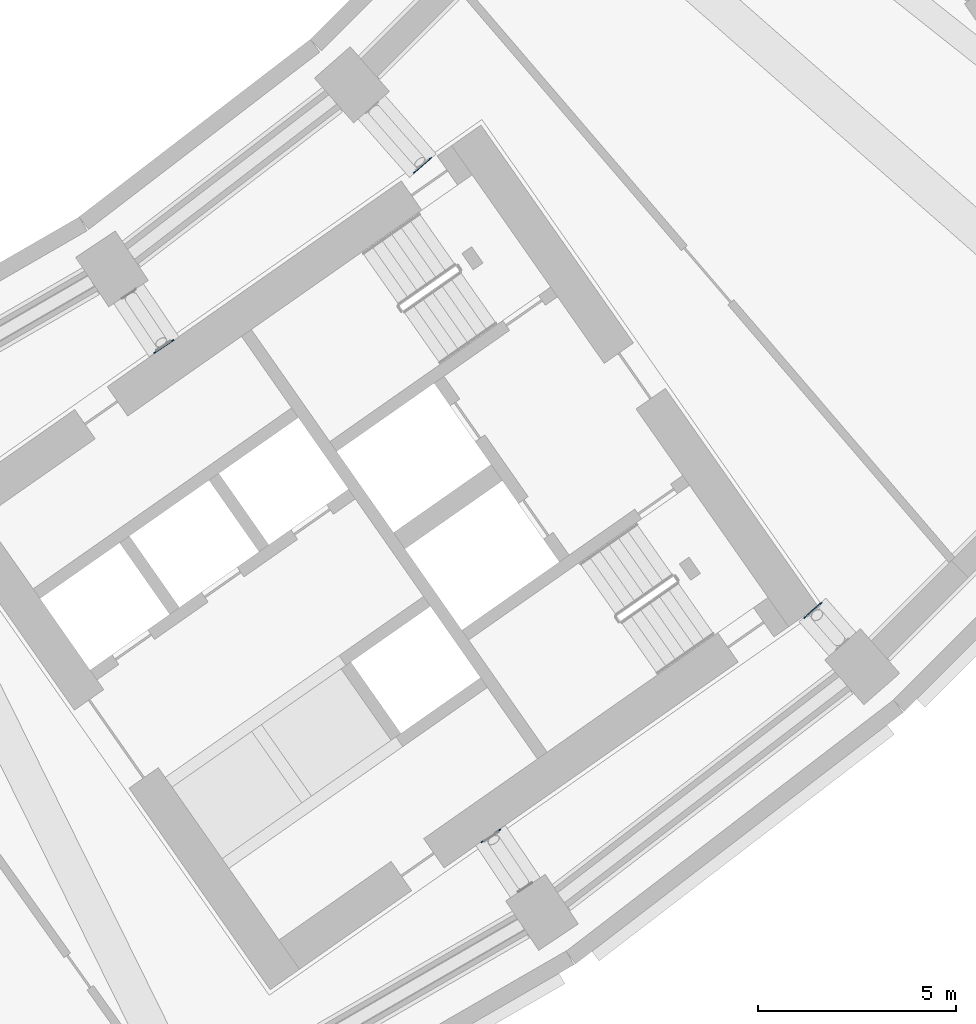
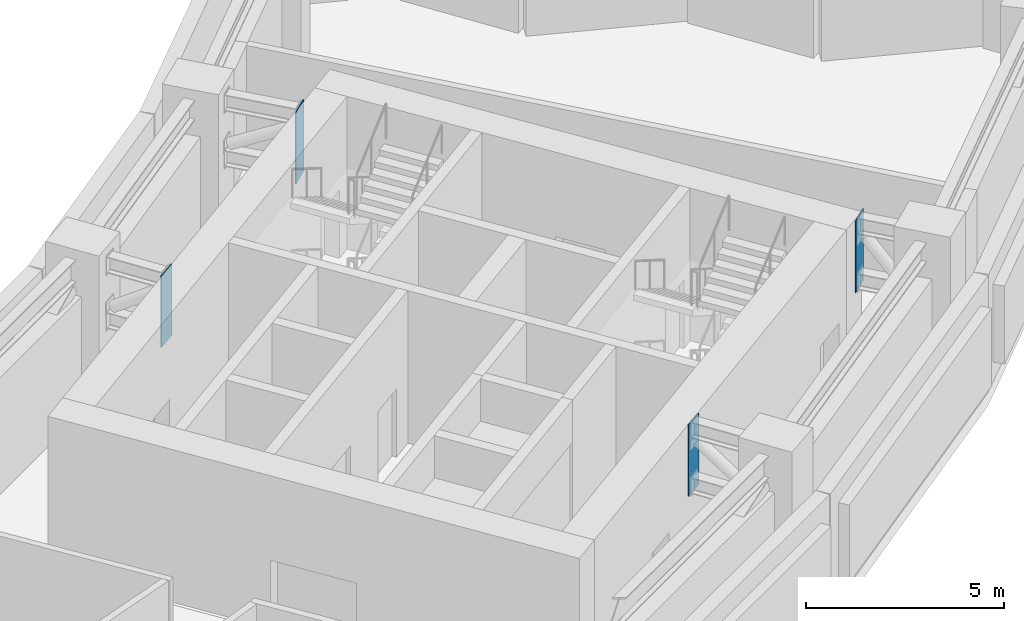
# One storey, part 12 of 25: 4 discrete accessories.
"""IFC4 building model written with IfcOpenShell, lengths in metres."""

from ifc_helpers import new_model, si_unit, direction, frame, origin, origin_2d, place, context, subcontext, project, spatial, rectangle, extrude, material, layer, layer_set, type_object, element, save


model = new_model("IFC4")

# Units and contexts
model_context = context("Model", 3, precision=1e-05, world=origin(), true_north=direction((0.0, 1.0)))
body_context = subcontext(model_context, "Body", "Model", "MODEL_VIEW")
ifc_project = project(units=[si_unit("LENGTHUNIT", "METRE"), si_unit("AREAUNIT", "SQUARE_METRE"), si_unit("VOLUMEUNIT", "CUBIC_METRE"), si_unit("PLANEANGLEUNIT", "RADIAN"), si_unit("MASSUNIT", "GRAM", prefix="KILO")], contexts=[model_context])

# Site, building, storey
site_placement = place(None, origin())
site = spatial("IfcSite", under=ifc_project, at=site_placement, CompositionType="ELEMENT")
building_placement = place(site_placement, origin())
building = spatial("IfcBuilding", under=site, at=building_placement, Name="Qamariyya Broadcast Tower", CompositionType="ELEMENT")
storey_placement = place(building_placement, frame((0.0, 0.0, 144.300048828125)))
storey = spatial("IfcBuildingStorey", under=building, at=storey_placement, Name="L33", CompositionType="ELEMENT", Elevation=144.300048828125)

# Discrete accessories
ifc_material = material(Name="Steel S355", Category="steel")
ifc_layer = layer(ifc_material, 0.02490234375)
ifc_layer_set = layer_set([ifc_layer], Name="Cast-in plate 25 Steel S355")
discrete_accessory_type = type_object("IfcDiscreteAccessoryType", Name="Cast-in plate 25 Steel S355", PredefinedType="ANCHORPLATE", material=ifc_layer_set)
for number, where, z_axis, x_axis, name in (
    (1, (33.668701171875, -50.388671875, 2.5), (0.0, 0.0, 1.0), (-0.831469612303, -0.55557023302, 0.0), "Cast-in plate CP1 L33 R15"),
    (2, (41.906982421875, -62.718017578125, 2.5), (0.0, 0.0, 1.0), (-0.831469612303, -0.55557023302, 0.0), "Cast-in plate CP1 L33 R15"),
    (3, (40.18701171875, -45.824462890625, 2.5), (0.0, 0.0, 1.0), (-0.751839807479, -0.6593458151, 0.0), "Cast-in plate CP1 L33 R16"),
    (4, (50.020263671875, -57.037109375, 2.5), (0.0, 0.0, 1.0), (-0.751839807479, -0.6593458151, 0.0), "Cast-in plate CP1 L33 R16"),
):
    element("IfcDiscreteAccessory", number, at=place(storey_placement, frame(where, z_axis=z_axis, x_axis=x_axis)), inside=storey, type_object=discrete_accessory_type, Name=name, PredefinedType="ANCHORPLATE", context=body_context, shape_type="SweptSolid", body=[
        extrude(rectangle(XDim=0.60009765625, YDim=0.02490234375, at=origin_2d()), origin(), (0.0, 0.0, 1.0), 2.199951171875),
    ])

save(model, "model.ifc")
